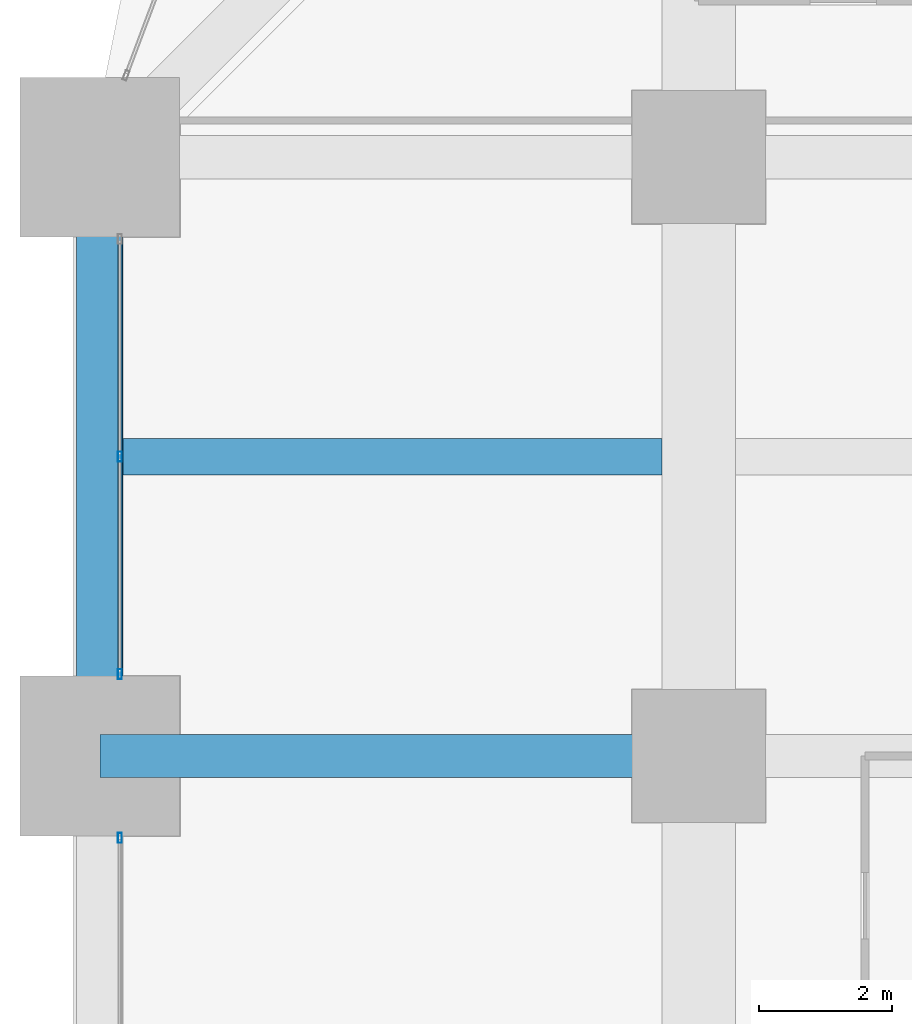
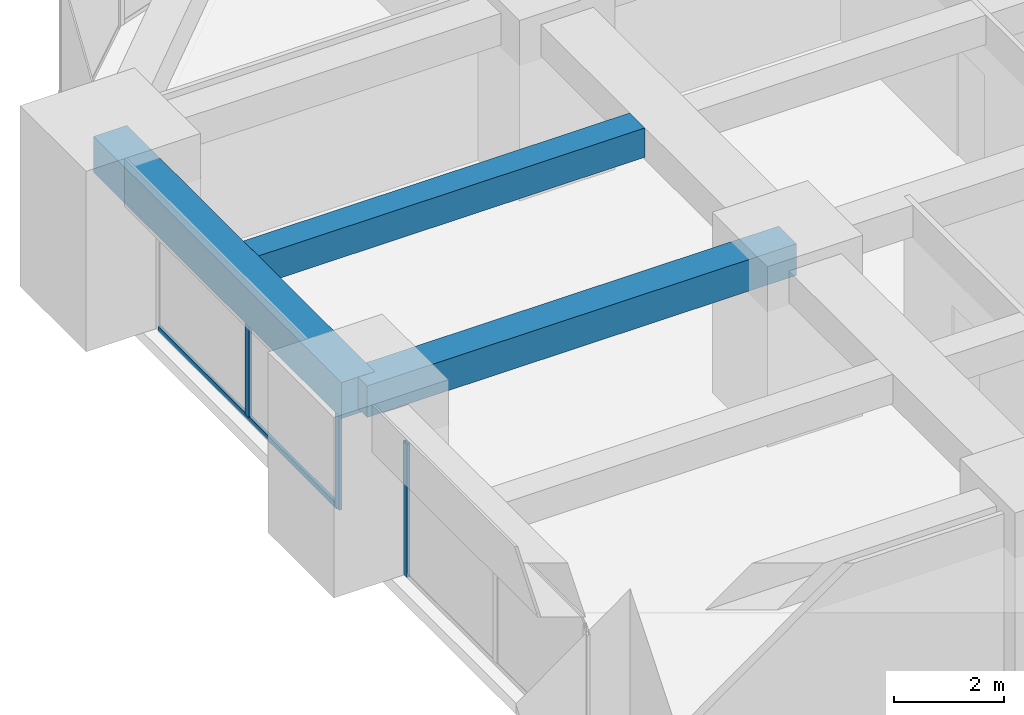
# One storey, part 11 of 40: 4 members, 3 beams, 2 elements without a shape of their own.
"""IFC4 building model written with IfcOpenShell, lengths in metres."""

import ifcopenshell
import ifcopenshell.guid

model = None  # the IFC model being written
_history = None  # IfcOwnerHistory: only IFC2X3 demands one
_inside = {}  # id of a spatial element -> (the spatial element, [elements in it])
_under = {}  # id of a project, library or spatial element -> (it, [spatial elements below it])
_declared = {}  # id of a project -> (the project, [libraries it declares])
_typed = {}  # id of a type object -> (the type object, [elements of that type])
_made_of = {}  # id of a material, layer set ... -> (it, [elements and type objects made of it])


def new_model(schema):
    """Start an empty IFC model of exactly this schema.

    Asked for "IFC4X3", IfcOpenShell would pick the latest addendum, in which some entities
    have other attributes; the version numbers below select the first issue.
    IFC2X3 requires an IfcOwnerHistory on every rooted entity: one is made here for all.
    """
    global model, _history
    if schema == "IFC4X3":
        model = ifcopenshell.file(schema_version=(4, 3, 0, 0))
    else:
        model = ifcopenshell.file(schema=schema)
    _inside.clear()
    _under.clear()
    _declared.clear()
    _typed.clear()
    _made_of.clear()
    _history = None
    if model.schema == "IFC2X3":
        org = make("IfcOrganization", Name="unknown")
        user = make(
            "IfcPersonAndOrganization",
            ThePerson=make("IfcPerson", FamilyName="unknown"),
            TheOrganization=org,
        )
        app = make(
            "IfcApplication",
            ApplicationDeveloper=org,
            Version="unknown",
            ApplicationFullName="unknown",
            ApplicationIdentifier="unknown",
        )
        _history = make(
            "IfcOwnerHistory",
            OwningUser=user,
            OwningApplication=app,
            ChangeAction="ADDED",
            CreationDate=0,
        )
    return model


def make(cls, **values):
    """One entity of the class cls with the attributes given. An attribute that is None is left unset."""
    return model.create_entity(
        cls, **{name: value for name, value in values.items() if value is not None}
    )


def rooted(cls, **values):
    """An entity with a GlobalId (a new one), such as an element, a storey or a relation."""
    return make(cls, GlobalId=ifcopenshell.guid.new(), OwnerHistory=_history, **values)


def si_unit(unit_type, name, prefix=None):
    """IfcSIUnit, for example si_unit("LENGTHUNIT", "METRE", prefix="MILLI")."""
    return make("IfcSIUnit", UnitType=unit_type, Prefix=prefix, Name=name)


def assignment(units):
    """IfcUnitAssignment: the units of a project."""
    return None if units is None else make("IfcUnitAssignment", Units=units)


def point(xyz):
    """IfcCartesianPoint."""
    return None if xyz is None else make("IfcCartesianPoint", Coordinates=xyz)


def direction(xyz):
    """IfcDirection."""
    return None if xyz is None else make("IfcDirection", DirectionRatios=xyz)


def frame(location, z_axis=None, x_axis=None):
    """IfcAxis2Placement3D, a coordinate frame: its origin and axes. An axis left out is left unset."""
    return make(
        "IfcAxis2Placement3D",
        Location=point(location),
        Axis=direction(z_axis),
        RefDirection=direction(x_axis),
    )


def frame_2d(location, x_axis=None):
    """IfcAxis2Placement2D, a coordinate frame in the plane: its origin and x axis."""
    return make(
        "IfcAxis2Placement2D", Location=point(location), RefDirection=direction(x_axis)
    )


def origin():
    """The frame at (0, 0, 0) with its axes left unset."""
    return frame((0.0, 0.0, 0.0))


def origin_2d():
    """The frame at (0, 0) in the plane with its x axis left unset."""
    return frame_2d((0.0, 0.0))


def place(relative_to, where):
    """IfcLocalPlacement: puts the frame where relative to a parent placement (None: the world)."""
    return make(
        "IfcLocalPlacement", PlacementRelTo=relative_to, RelativePlacement=where
    )


def context(
    kind, dimensions, precision=None, world=None, true_north=None, identifier=None
):
    """IfcGeometricRepresentationContext, for example the 3D "Model" context."""
    return make(
        "IfcGeometricRepresentationContext",
        ContextIdentifier=identifier,
        ContextType=kind,
        CoordinateSpaceDimension=dimensions,
        Precision=precision,
        WorldCoordinateSystem=world,
        TrueNorth=true_north,
    )


def subcontext(parent, identifier, kind, view, scale=None):
    """IfcGeometricRepresentationSubContext, for example "Body" below "Model"."""
    return make(
        "IfcGeometricRepresentationSubContext",
        ContextIdentifier=identifier,
        ContextType=kind,
        ParentContext=parent,
        TargetScale=scale,
        TargetView=view,
    )


def project(units=None, contexts=None):
    """IfcProject with its units and contexts."""
    return rooted(
        "IfcProject",
        Name="project",
        RepresentationContexts=contexts,
        UnitsInContext=assignment(units),
    )


def spatial(cls, under=None, at=None, **own):
    """A site, building, storey or space (cls), placed at a placement, below another one or the project."""
    s = rooted(cls, ObjectPlacement=at, **own)
    if under is not None:
        _under.setdefault(under.id(), (under, []))[1].append(s)
    return s


def profile(cls, at=None, kind="AREA", **sizes):
    """A parametric profile (cls). Its sizes go by their IFC names, for example OverallWidth=200.0."""
    return make(cls, ProfileType=kind, Position=at, **sizes)


def rectangle(**sizes):
    """IfcRectangleProfileDef."""
    return profile("IfcRectangleProfileDef", **sizes)


def hollow_rectangle(**sizes):
    """IfcRectangleHollowProfileDef."""
    return profile("IfcRectangleHollowProfileDef", **sizes)


def extrude(swept, where, along, depth):
    """IfcExtrudedAreaSolid: the profile swept, set in the frame where, extruded along a direction by depth."""
    return make(
        "IfcExtrudedAreaSolid",
        SweptArea=swept,
        Position=where,
        ExtrudedDirection=direction(along),
        Depth=depth,
    )


def shape(context_of_items, identifier, shape_type, items):
    """IfcShapeRepresentation: the items that make up one representation, for example the "Body"."""
    return make(
        "IfcShapeRepresentation",
        ContextOfItems=context_of_items,
        RepresentationIdentifier=identifier,
        RepresentationType=shape_type,
        Items=items,
    )


def material(Name=None, Category=None):
    """IfcMaterial."""
    return make("IfcMaterial", Name=Name, Category=Category)


def material_profile(
    of_material, cross_section, Name=None, Category=None, Priority=None
):
    """IfcMaterialProfile: a cross section and its material."""
    return make(
        "IfcMaterialProfile",
        Name=Name,
        Material=of_material,
        Profile=cross_section,
        Priority=Priority,
        Category=Category,
    )


def profile_set(profiles, Name=None, composite=None):
    """IfcMaterialProfileSet."""
    return make(
        "IfcMaterialProfileSet",
        Name=Name,
        MaterialProfiles=profiles,
        CompositeProfile=composite,
    )


def made_of(thing, what):
    """Note that an element or type object is made of a material, layer set ...; save() writes the relation."""
    if what is not None:
        _made_of.setdefault(what.id(), (what, []))[1].append(thing)
    return thing


def type_object(cls, material=None, **own):
    """A type object (cls), such as IfcWallType, which elements share."""
    return made_of(rooted(cls, **own), material)


def element(
    cls,
    number,
    at=None,
    inside=None,
    cuts=None,
    type_object=None,
    material=None,
    context=None,
    identifier="Body",
    shape_type=None,
    held_by="IfcProductDefinitionShape",
    body=None,
    shapes=None,
    **own,
):
    """One element of the class cls, such as IfcWall. Its Tag is "e" and its number.

    at: its placement. inside: the storey or other place that contains it. cuts: it is an
    opening in that element (IfcRelVoidsElement). A single representation is given by context,
    identifier, shape_type and body (its items); several are given by shapes. held_by: the class
    of the entity that holds the representations. save() writes the other relations.
    """
    e = rooted(cls, Tag="e%d" % number, ObjectPlacement=at, **own)
    if body is not None:
        shapes = [shape(context, identifier, shape_type, body)]
    if shapes is not None:
        e.Representation = make(held_by, Representations=shapes)
    if inside is not None:
        _inside.setdefault(inside.id(), (inside, []))[1].append(e)
    if cuts is not None:
        rooted(
            "IfcRelVoidsElement", RelatingBuildingElement=cuts, RelatedOpeningElement=e
        )
    if type_object is not None:
        _typed.setdefault(type_object.id(), (type_object, []))[1].append(e)
    return made_of(e, material)


def aggregate(whole, parts):
    """IfcRelAggregates: a whole, such as a stair, and the parts it consists of."""
    return rooted("IfcRelAggregates", RelatingObject=whole, RelatedObjects=parts)


def save(model, path):
    """Write the relations noted so far, then the file.

    IfcRelAggregates (storeys below a building ...), IfcRelContainedInSpatialStructure (elements
    in a storey), IfcRelDefinesByType, IfcRelAssociatesMaterial and IfcRelDeclares: one each for
    every whole, place, type object, material and project.
    """
    for whole, parts in _under.values():
        aggregate(whole, parts)
    for where, things in _inside.values():
        rooted(
            "IfcRelContainedInSpatialStructure",
            RelatedElements=things,
            RelatingStructure=where,
        )
    for kind, things in _typed.values():
        rooted("IfcRelDefinesByType", RelatedObjects=things, RelatingType=kind)
    for what, things in _made_of.values():
        rooted("IfcRelAssociatesMaterial", RelatedObjects=things, RelatingMaterial=what)
    for by, libraries in _declared.values():
        rooted("IfcRelDeclares", RelatingContext=by, RelatedDefinitions=libraries)
    model.write(path)


model = new_model("IFC4")

# Units and contexts
model_context = context("Model", 3, precision=1e-05, world=origin(), true_north=direction((0.0, 1.0)))
body_context = subcontext(model_context, "Body", "Model", "MODEL_VIEW")
ifc_project = project(units=[si_unit("LENGTHUNIT", "METRE"), si_unit("AREAUNIT", "SQUARE_METRE"), si_unit("VOLUMEUNIT", "CUBIC_METRE"), si_unit("PLANEANGLEUNIT", "RADIAN"), si_unit("MASSUNIT", "GRAM", prefix="KILO")], contexts=[model_context])

# Site, building, storey
site_placement = place(None, origin())
site = spatial("IfcSite", under=ifc_project, at=site_placement, CompositionType="ELEMENT")
building_placement = place(site_placement, origin())
building = spatial("IfcBuilding", under=site, at=building_placement, Name="Zorevar Civic Tower", CompositionType="ELEMENT")
storey_placement = place(building_placement, frame((0.0, 0.0, 93.0)))
storey = spatial("IfcBuildingStorey", under=building, at=storey_placement, Name="L22", CompositionType="ELEMENT", Elevation=93.0)

# Beams
ifc_material_1 = material(Name="Concrete C50/60", Category="concrete")
ifc_material_profile_1 = material_profile(ifc_material_1, rectangle(XDim=0.550048828125, YDim=0.64990234375, at=origin_2d()), Name="RC 550x650")
ifc_profile_set_1 = profile_set([ifc_material_profile_1], Name="Concrete C50/60")
beam_type_1 = type_object("IfcBeamType", Name="Beam RC 550x650", PredefinedType="BEAM", material=ifc_profile_set_1)
beam_1_placement = place(storey_placement, frame((0.35009765625, 31.5, 3.425048828125), z_axis=(1.0, 0.0, 0.0), x_axis=(0.0, 1.0, 0.0)))
element("IfcBeam", 1, at=beam_1_placement, inside=storey, type_object=beam_type_1, Name="Secondary beam L23", PredefinedType="BEAM", context=body_context, shape_type="SweptSolid", body=[
    extrude(rectangle(XDim=0.550048828125, YDim=0.64990234375, at=origin_2d()), origin(), (0.0, 0.0, 1.0), 8.099853515625),
])
ifc_material_2 = material(Name="Concrete C50/60", Category="concrete")
ifc_material_profile_2 = material_profile(ifc_material_2, rectangle(XDim=0.64990234375, YDim=0.699951171875, at=origin_2d()), Name="RC 650x700")
ifc_profile_set_2 = profile_set([ifc_material_profile_2], Name="Concrete C50/60")
beam_type_2 = type_object("IfcBeamType", Name="Beam RC 650x700", PredefinedType="BEAM", material=ifc_profile_set_2)
beam_2_placement = place(storey_placement, frame((0.0, 27.0, 3.39990234375), z_axis=(1.0, 0.0, 0.0), x_axis=(0.0, 1.0, 0.0)))
element("IfcBeam", 2, at=beam_2_placement, inside=storey, type_object=beam_type_2, Name="Girder L23", PredefinedType="BEAM", context=body_context, shape_type="SweptSolid", body=[
    extrude(rectangle(XDim=0.64990234375, YDim=0.699951171875, at=origin_2d()), origin(), (0.0, 0.0, 1.0), 9.0),
])

# Curtain wall, member
ifc_material_3 = material(Name="Dark grey solar-control glass in black aluminium frame", Category="aluminium")
curtain_wall_type = type_object("IfcCurtainWallType", Name="Curtain wall CW3 mid zone", PredefinedType="NOTDEFINED", material=ifc_material_3)
curtain_wall_1_placement = place(storey_placement, origin())
curtain_wall_1 = element("IfcCurtainWall", 3, at=curtain_wall_1_placement, inside=storey, type_object=curtain_wall_type, Name="CW3 L22", PredefinedType="NOTDEFINED")
ifc_material_4 = material(Name="Aluminium, black anodised", Category="aluminium")
ifc_material_profile_3 = material_profile(ifc_material_4, hollow_rectangle(XDim=0.06005859375, YDim=0.14990234375, WallThickness=0.00390625, at=origin_2d()), Name="AL 150x60x4")
ifc_profile_set_3 = profile_set([ifc_material_profile_3], Name="Aluminium, black anodised")
member_type_1 = type_object("IfcMemberType", Name="CW3 mullion AL 150x60x4", PredefinedType="MULLION", material=ifc_profile_set_3)
member_1_placement = place(storey_placement, frame((0.300048828125, 25.77001953125, 0.0), z_axis=(0.0, 0.0, 1.0), x_axis=(-1.0, 0.0, 0.0)))
member_1 = element("IfcMember", 4, at=member_1_placement, type_object=member_type_1, Name="CW3 mullion 3", PredefinedType="MULLION", context=body_context, shape_type="SweptSolid", body=[
    extrude(hollow_rectangle(XDim=0.06005859375, YDim=0.14990234375, WallThickness=0.00390625, at=origin_2d()), origin(), (0.0, 0.0, 1.0), 2.949951171875),
])
aggregate(curtain_wall_1, [member_1])

# Curtain wall, members
curtain_wall_2_placement = place(storey_placement, origin())
curtain_wall_2 = element("IfcCurtainWall", 5, at=curtain_wall_2_placement, inside=storey, type_object=curtain_wall_type, Name="CW3 L22", PredefinedType="NOTDEFINED")
member_2_placement = place(storey_placement, frame((0.300048828125, 28.22998046875, 0.0), z_axis=(0.0, 0.0, 1.0), x_axis=(-1.0, 0.0, 0.0)))
member_2 = element("IfcMember", 6, at=member_2_placement, type_object=member_type_1, Name="CW3 mullion 1", PredefinedType="MULLION", context=body_context, shape_type="SweptSolid", body=[
    extrude(hollow_rectangle(XDim=0.06005859375, YDim=0.14990234375, WallThickness=0.00390625, at=origin_2d()), origin(), (0.0, 0.0, 1.0), 2.949951171875),
])
member_3_placement = place(storey_placement, frame((0.300048828125, 31.5, 0.06005859375), z_axis=(0.0, 0.0, 1.0), x_axis=(-1.0, 0.0, 0.0)))
member_3 = element("IfcMember", 7, at=member_3_placement, type_object=member_type_1, Name="CW3 mullion 2", PredefinedType="MULLION", context=body_context, shape_type="SweptSolid", body=[
    extrude(hollow_rectangle(XDim=0.06005859375, YDim=0.14990234375, WallThickness=0.00390625, at=origin_2d()), origin(), (0.0, 0.0, 1.0), 2.889892578125),
])
ifc_material_5 = material(Name="Aluminium, black anodised", Category="aluminium")
ifc_material_profile_4 = material_profile(ifc_material_5, hollow_rectangle(XDim=0.06005859375, YDim=0.1201171875, WallThickness=0.0029296875, at=origin_2d()), Name="AL 120x60x3")
ifc_profile_set_4 = profile_set([ifc_material_profile_4], Name="Aluminium, black anodised")
member_type_2 = type_object("IfcMemberType", Name="CW3 transom AL 120x60x3", PredefinedType="USERDEFINED", material=ifc_profile_set_4)
member_4_placement = place(storey_placement, frame((0.300048828125, 28.260009765625, 0.030029296875), z_axis=(0.0, 1.0, 0.0), x_axis=(-1.0, 0.0, 0.0)))
member_4 = element("IfcMember", 8, at=member_4_placement, type_object=member_type_2, Name="CW3 sill transom", ObjectType="TRANSOM", PredefinedType="USERDEFINED", context=body_context, shape_type="SweptSolid", body=[
    extrude(hollow_rectangle(XDim=0.06005859375, YDim=0.1201171875, WallThickness=0.0029296875, at=origin_2d()), origin(), (0.0, 0.0, 1.0), 6.47998046875),
])
aggregate(curtain_wall_2, [member_2, member_3, member_4])

# Beam
ifc_material_6 = material(Name="Concrete C50/60", Category="concrete")
ifc_material_profile_5 = material_profile(ifc_material_6, rectangle(XDim=0.699951171875, YDim=0.800048828125, at=origin_2d()), Name="RC 700x800")
ifc_profile_set_5 = profile_set([ifc_material_profile_5], Name="Concrete C50/60")
beam_type_3 = type_object("IfcBeamType", Name="Edge beam RC 700x800", PredefinedType="SPANDREL", material=ifc_profile_set_5)
beam_3_placement = place(storey_placement, frame((0.0, 27.0, 3.35009765625), z_axis=(0.0, 1.0, 0.0), x_axis=(-1.0, 0.0, 0.0)))
element("IfcBeam", 9, at=beam_3_placement, inside=storey, type_object=beam_type_3, Name="Edge beam L23", PredefinedType="SPANDREL", context=body_context, shape_type="SweptSolid", body=[
    extrude(rectangle(XDim=0.699951171875, YDim=0.800048828125, at=origin_2d()), origin(), (0.0, 0.0, 1.0), 9.0),
])

save(model, "model.ifc")
